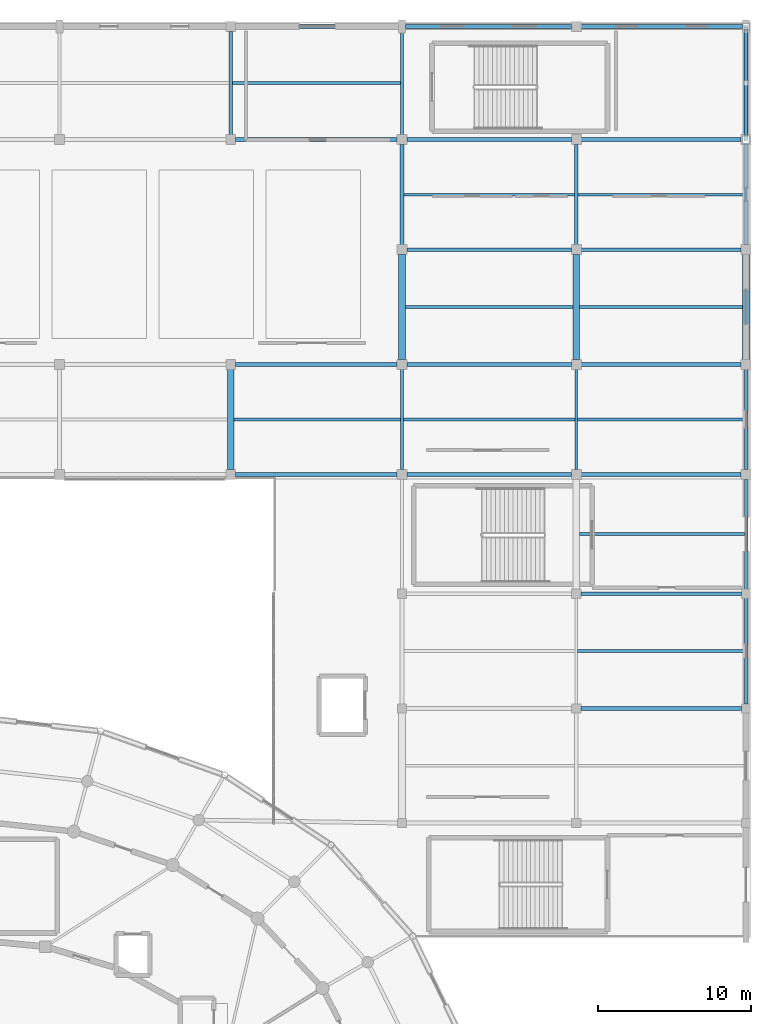
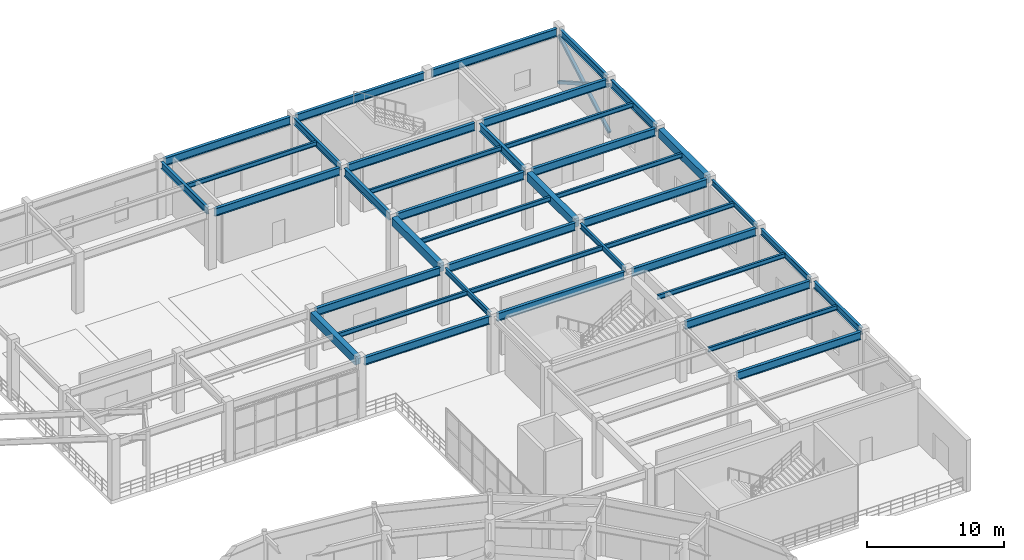
# One storey, part 38 of 93: 41 beams, 3 members.
"""IFC4 building model written with IfcOpenShell, lengths in metres."""

import ifcopenshell
import ifcopenshell.guid

model = None  # the IFC model being written
_history = None  # IfcOwnerHistory: only IFC2X3 demands one
_inside = {}  # id of a spatial element -> (the spatial element, [elements in it])
_under = {}  # id of a project, library or spatial element -> (it, [spatial elements below it])
_declared = {}  # id of a project -> (the project, [libraries it declares])
_typed = {}  # id of a type object -> (the type object, [elements of that type])
_made_of = {}  # id of a material, layer set ... -> (it, [elements and type objects made of it])


def new_model(schema):
    """Start an empty IFC model of exactly this schema.

    Asked for "IFC4X3", IfcOpenShell would pick the latest addendum, in which some entities
    have other attributes; the version numbers below select the first issue.
    IFC2X3 requires an IfcOwnerHistory on every rooted entity: one is made here for all.
    """
    global model, _history
    if schema == "IFC4X3":
        model = ifcopenshell.file(schema_version=(4, 3, 0, 0))
    else:
        model = ifcopenshell.file(schema=schema)
    _inside.clear()
    _under.clear()
    _declared.clear()
    _typed.clear()
    _made_of.clear()
    _history = None
    if model.schema == "IFC2X3":
        org = make("IfcOrganization", Name="unknown")
        user = make(
            "IfcPersonAndOrganization",
            ThePerson=make("IfcPerson", FamilyName="unknown"),
            TheOrganization=org,
        )
        app = make(
            "IfcApplication",
            ApplicationDeveloper=org,
            Version="unknown",
            ApplicationFullName="unknown",
            ApplicationIdentifier="unknown",
        )
        _history = make(
            "IfcOwnerHistory",
            OwningUser=user,
            OwningApplication=app,
            ChangeAction="ADDED",
            CreationDate=0,
        )
    return model


def make(cls, **values):
    """One entity of the class cls with the attributes given. An attribute that is None is left unset."""
    return model.create_entity(
        cls, **{name: value for name, value in values.items() if value is not None}
    )


def rooted(cls, **values):
    """An entity with a GlobalId (a new one), such as an element, a storey or a relation."""
    return make(cls, GlobalId=ifcopenshell.guid.new(), OwnerHistory=_history, **values)


def si_unit(unit_type, name, prefix=None):
    """IfcSIUnit, for example si_unit("LENGTHUNIT", "METRE", prefix="MILLI")."""
    return make("IfcSIUnit", UnitType=unit_type, Prefix=prefix, Name=name)


def assignment(units):
    """IfcUnitAssignment: the units of a project."""
    return None if units is None else make("IfcUnitAssignment", Units=units)


def point(xyz):
    """IfcCartesianPoint."""
    return None if xyz is None else make("IfcCartesianPoint", Coordinates=xyz)


def direction(xyz):
    """IfcDirection."""
    return None if xyz is None else make("IfcDirection", DirectionRatios=xyz)


def frame(location, z_axis=None, x_axis=None):
    """IfcAxis2Placement3D, a coordinate frame: its origin and axes. An axis left out is left unset."""
    return make(
        "IfcAxis2Placement3D",
        Location=point(location),
        Axis=direction(z_axis),
        RefDirection=direction(x_axis),
    )


def frame_2d(location, x_axis=None):
    """IfcAxis2Placement2D, a coordinate frame in the plane: its origin and x axis."""
    return make(
        "IfcAxis2Placement2D", Location=point(location), RefDirection=direction(x_axis)
    )


def origin():
    """The frame at (0, 0, 0) with its axes left unset."""
    return frame((0.0, 0.0, 0.0))


def origin_2d():
    """The frame at (0, 0) in the plane with its x axis left unset."""
    return frame_2d((0.0, 0.0))


def place(relative_to, where):
    """IfcLocalPlacement: puts the frame where relative to a parent placement (None: the world)."""
    return make(
        "IfcLocalPlacement", PlacementRelTo=relative_to, RelativePlacement=where
    )


def context(
    kind, dimensions, precision=None, world=None, true_north=None, identifier=None
):
    """IfcGeometricRepresentationContext, for example the 3D "Model" context."""
    return make(
        "IfcGeometricRepresentationContext",
        ContextIdentifier=identifier,
        ContextType=kind,
        CoordinateSpaceDimension=dimensions,
        Precision=precision,
        WorldCoordinateSystem=world,
        TrueNorth=true_north,
    )


def subcontext(parent, identifier, kind, view, scale=None):
    """IfcGeometricRepresentationSubContext, for example "Body" below "Model"."""
    return make(
        "IfcGeometricRepresentationSubContext",
        ContextIdentifier=identifier,
        ContextType=kind,
        ParentContext=parent,
        TargetScale=scale,
        TargetView=view,
    )


def project(units=None, contexts=None):
    """IfcProject with its units and contexts."""
    return rooted(
        "IfcProject",
        Name="project",
        RepresentationContexts=contexts,
        UnitsInContext=assignment(units),
    )


def spatial(cls, under=None, at=None, **own):
    """A site, building, storey or space (cls), placed at a placement, below another one or the project."""
    s = rooted(cls, ObjectPlacement=at, **own)
    if under is not None:
        _under.setdefault(under.id(), (under, []))[1].append(s)
    return s


def profile(cls, at=None, kind="AREA", **sizes):
    """A parametric profile (cls). Its sizes go by their IFC names, for example OverallWidth=200.0."""
    return make(cls, ProfileType=kind, Position=at, **sizes)


def rectangle(**sizes):
    """IfcRectangleProfileDef."""
    return profile("IfcRectangleProfileDef", **sizes)


def hollow_rectangle(**sizes):
    """IfcRectangleHollowProfileDef."""
    return profile("IfcRectangleHollowProfileDef", **sizes)


def i_section(**sizes):
    """IfcIShapeProfileDef."""
    return profile("IfcIShapeProfileDef", **sizes)


def extrude(swept, where, along, depth):
    """IfcExtrudedAreaSolid: the profile swept, set in the frame where, extruded along a direction by depth."""
    return make(
        "IfcExtrudedAreaSolid",
        SweptArea=swept,
        Position=where,
        ExtrudedDirection=direction(along),
        Depth=depth,
    )


def shape(context_of_items, identifier, shape_type, items):
    """IfcShapeRepresentation: the items that make up one representation, for example the "Body"."""
    return make(
        "IfcShapeRepresentation",
        ContextOfItems=context_of_items,
        RepresentationIdentifier=identifier,
        RepresentationType=shape_type,
        Items=items,
    )


def material(Name=None, Category=None):
    """IfcMaterial."""
    return make("IfcMaterial", Name=Name, Category=Category)


def material_profile(
    of_material, cross_section, Name=None, Category=None, Priority=None
):
    """IfcMaterialProfile: a cross section and its material."""
    return make(
        "IfcMaterialProfile",
        Name=Name,
        Material=of_material,
        Profile=cross_section,
        Priority=Priority,
        Category=Category,
    )


def profile_set(profiles, Name=None, composite=None):
    """IfcMaterialProfileSet."""
    return make(
        "IfcMaterialProfileSet",
        Name=Name,
        MaterialProfiles=profiles,
        CompositeProfile=composite,
    )


def made_of(thing, what):
    """Note that an element or type object is made of a material, layer set ...; save() writes the relation."""
    if what is not None:
        _made_of.setdefault(what.id(), (what, []))[1].append(thing)
    return thing


def type_object(cls, material=None, **own):
    """A type object (cls), such as IfcWallType, which elements share."""
    return made_of(rooted(cls, **own), material)


def element(
    cls,
    number,
    at=None,
    inside=None,
    cuts=None,
    type_object=None,
    material=None,
    context=None,
    identifier="Body",
    shape_type=None,
    held_by="IfcProductDefinitionShape",
    body=None,
    shapes=None,
    **own,
):
    """One element of the class cls, such as IfcWall. Its Tag is "e" and its number.

    at: its placement. inside: the storey or other place that contains it. cuts: it is an
    opening in that element (IfcRelVoidsElement). A single representation is given by context,
    identifier, shape_type and body (its items); several are given by shapes. held_by: the class
    of the entity that holds the representations. save() writes the other relations.
    """
    e = rooted(cls, Tag="e%d" % number, ObjectPlacement=at, **own)
    if body is not None:
        shapes = [shape(context, identifier, shape_type, body)]
    if shapes is not None:
        e.Representation = make(held_by, Representations=shapes)
    if inside is not None:
        _inside.setdefault(inside.id(), (inside, []))[1].append(e)
    if cuts is not None:
        rooted(
            "IfcRelVoidsElement", RelatingBuildingElement=cuts, RelatedOpeningElement=e
        )
    if type_object is not None:
        _typed.setdefault(type_object.id(), (type_object, []))[1].append(e)
    return made_of(e, material)


def aggregate(whole, parts):
    """IfcRelAggregates: a whole, such as a stair, and the parts it consists of."""
    return rooted("IfcRelAggregates", RelatingObject=whole, RelatedObjects=parts)


def save(model, path):
    """Write the relations noted so far, then the file.

    IfcRelAggregates (storeys below a building ...), IfcRelContainedInSpatialStructure (elements
    in a storey), IfcRelDefinesByType, IfcRelAssociatesMaterial and IfcRelDeclares: one each for
    every whole, place, type object, material and project.
    """
    for whole, parts in _under.values():
        aggregate(whole, parts)
    for where, things in _inside.values():
        rooted(
            "IfcRelContainedInSpatialStructure",
            RelatedElements=things,
            RelatingStructure=where,
        )
    for kind, things in _typed.values():
        rooted("IfcRelDefinesByType", RelatedObjects=things, RelatingType=kind)
    for what, things in _made_of.values():
        rooted("IfcRelAssociatesMaterial", RelatedObjects=things, RelatingMaterial=what)
    for by, libraries in _declared.values():
        rooted("IfcRelDeclares", RelatingContext=by, RelatedDefinitions=libraries)
    model.write(path)


model = new_model("IFC4")

# Units and contexts
model_context = context("Model", 3, precision=1e-05, world=origin(), true_north=direction((0.0, 1.0)))
body_context = subcontext(model_context, "Body", "Model", "MODEL_VIEW")
ifc_project = project(units=[si_unit("LENGTHUNIT", "METRE"), si_unit("AREAUNIT", "SQUARE_METRE"), si_unit("VOLUMEUNIT", "CUBIC_METRE"), si_unit("PLANEANGLEUNIT", "RADIAN"), si_unit("MASSUNIT", "GRAM", prefix="KILO")], contexts=[model_context])

# Site, building, storey
site_placement = place(None, origin())
site = spatial("IfcSite", under=ifc_project, at=site_placement, CompositionType="ELEMENT")
building_placement = place(site_placement, origin())
building = spatial("IfcBuilding", under=site, at=building_placement, Name="Cinderbank Siding Concert Hall", CompositionType="ELEMENT")
storey_placement = place(building_placement, origin())
storey = spatial("IfcBuildingStorey", under=building, at=storey_placement, Name="L01", CompositionType="ELEMENT", Elevation=0.0)

# Beams
ifc_material_1 = material(Name="Reinforced concrete AS 3600 N50 (50 MPa)", Category="concrete")
ifc_material_profile_1 = material_profile(ifc_material_1, rectangle(XDim=0.449951171875, YDim=0.75, at=origin_2d()), Name="RC-BM-450x750", Category="LoadBearing")
ifc_profile_set_1 = profile_set([ifc_material_profile_1], Name="Reinforced concrete AS 3600 N50 (50 MPa)")
beam_type_1 = type_object("IfcBeamType", Name="BM-RC750 RC-BM-450x750", PredefinedType="BEAM", material=ifc_profile_set_1)
beam_1_placement = place(storey_placement, frame((139.199951171875, 88.9169921875, 4.7470703125), z_axis=(0.0, 1.0, 0.0), x_axis=(-1.0, 0.0, 0.0)))
element("IfcBeam", 1, at=beam_1_placement, inside=storey, type_object=beam_type_1, Name="L01 Beam BM-RC750 #1329", PredefinedType="BEAM", context=body_context, shape_type="SweptSolid", body=[
    extrude(rectangle(XDim=0.449951171875, YDim=0.75, at=origin_2d()), origin(), (0.0, 0.0, 1.0), 6.56591796875),
])
for number, where, z_axis, x_axis, name in (
    (2, (150.39990234375, 96.116943359375, 4.7470703125), (0.0, 1.0, 0.0), (-1.0, 0.0, 0.0), "L01 Beam BM-RC750 #1337"),
    (3, (161.800048828125, 96.116943359375, 4.7470703125), (0.0, 1.0, 0.0), (-1.0, 0.0, 0.0), "L01 Beam BM-RC750 #1346"),
    (4, (172.89990234375, 96.116943359375, 4.7470703125), (0.0, 1.0, 0.0), (-1.0, 0.0, 0.0), "L01 Beam BM-RC750 #1352"),
):
    element("IfcBeam", number, at=place(storey_placement, frame(where, z_axis=z_axis, x_axis=x_axis)), inside=storey, type_object=beam_type_1, Name=name, PredefinedType="BEAM", context=body_context, shape_type="SweptSolid", body=[
        extrude(rectangle(XDim=0.449951171875, YDim=0.75, at=origin_2d()), origin(), (0.0, 0.0, 1.0), 6.865966796875),
    ])
ifc_material_2 = material(Name="Structural steel AS/NZS 3679.1 Grade 350 (340 MPa)", Category="steel")
ifc_material_profile_2 = material_profile(ifc_material_2, i_section(OverallWidth=0.18994140625, OverallDepth=0.45751953125, WebThickness=0.009033203125, FlangeThickness=0.014404296875, at=origin_2d()), Name="460UB74.6", Category="LoadBearing")
ifc_profile_set_2 = profile_set([ifc_material_profile_2], Name="Structural steel AS/NZS 3679.1 Grade 350 (340 MPa)")
beam_type_2 = type_object("IfcBeamType", Name="BM-UB460 460UB74.6", PredefinedType="BEAM", material=ifc_profile_set_2)
for number, where, z_axis, x_axis, name in (
    (5, (150.39990234375, 88.9169921875, 4.893310546875), (0.0, 1.0, 0.0), (-1.0, 0.0, 0.0), "L01 Beam BM-UB460 #1335"),
    (6, (161.800048828125, 88.9169921875, 4.893310546875), (0.0, 1.0, 0.0), (-1.0, 0.0, 0.0), "L01 Beam BM-UB460 #1344"),
    (7, (172.89990234375, 88.9169921875, 4.893310546875), (0.0, 1.0, 0.0), (-1.0, 0.0, 0.0), "L01 Beam BM-UB460 #1351"),
):
    element("IfcBeam", number, at=place(storey_placement, frame(where, z_axis=z_axis, x_axis=x_axis)), inside=storey, type_object=beam_type_2, Name=name, PredefinedType="BEAM", context=body_context, shape_type="SweptSolid", body=[
        extrude(i_section(OverallWidth=0.18994140625, OverallDepth=0.45751953125, WebThickness=0.009033203125, FlangeThickness=0.014404296875, at=origin_2d()), origin(), (0.0, 0.0, 1.0), 6.56591796875),
    ])
ifc_material_profile_3 = material_profile(ifc_material_2, i_section(OverallWidth=0.208984375, OverallDepth=0.5283203125, WebThickness=0.009521484375, FlangeThickness=0.01318359375, at=origin_2d()), Name="530UB82.0", Category="LoadBearing")
ifc_profile_set_3 = profile_set([ifc_material_profile_3], Name="Structural steel AS/NZS 3679.1 Grade 350 (340 MPa)")
beam_type_3 = type_object("IfcBeamType", Name="BM-UB530 530UB82.0", PredefinedType="BEAM", material=ifc_profile_set_3)
beam_2_placement = place(storey_placement, frame((172.89990234375, 81.092041015625, 4.85791015625), z_axis=(0.0, 1.0, 0.0), x_axis=(-1.0, 0.0, 0.0)))
element("IfcBeam", 8, at=beam_2_placement, inside=storey, type_object=beam_type_3, Name="L01 Beam BM-UB530 #1420", PredefinedType="BEAM", context=body_context, shape_type="SweptSolid", body=[
    extrude(i_section(OverallWidth=0.208984375, OverallDepth=0.5283203125, WebThickness=0.009521484375, FlangeThickness=0.01318359375, at=origin_2d()), origin(), (0.0, 0.0, 1.0), 7.19091796875),
])
ifc_material_profile_4 = material_profile(ifc_material_2, i_section(OverallWidth=0.22802734375, OverallDepth=0.602294921875, WebThickness=0.010498046875, FlangeThickness=0.014892578125, at=origin_2d()), Name="610UB101", Category="LoadBearing")
ifc_profile_set_4 = profile_set([ifc_material_profile_4], Name="Structural steel AS/NZS 3679.1 Grade 350 (340 MPa)")
beam_type_4 = type_object("IfcBeamType", Name="BM-UB610 610UB101", PredefinedType="BEAM", material=ifc_profile_set_4)
beam_3_placement = place(storey_placement, frame((139.199951171875, 110.81689453125, 4.82080078125), z_axis=(0.0, 1.0, 0.0), x_axis=(-1.0, 0.0, 0.0)))
element("IfcBeam", 9, at=beam_3_placement, inside=storey, type_object=beam_type_4, Name="L01 Beam BM-UB610 #1332", PredefinedType="BEAM", context=body_context, shape_type="SweptSolid", body=[
    extrude(i_section(OverallWidth=0.22802734375, OverallDepth=0.602294921875, WebThickness=0.010498046875, FlangeThickness=0.014892578125, at=origin_2d()), origin(), (0.0, 0.0, 1.0), 6.76611328125),
])
for number, where, z_axis, x_axis, name in (
    (10, (150.39990234375, 110.81689453125, 4.82080078125), (0.0, 1.0, 0.0), (-1.0, 0.0, 0.0), "L01 Beam BM-UB610 #1341"),
    (11, (172.89990234375, 110.81689453125, 4.82080078125), (0.0, 1.0, 0.0), (-1.0, 0.0, 0.0), "L01 Beam BM-UB610 #1354"),
):
    element("IfcBeam", number, at=place(storey_placement, frame(where, z_axis=z_axis, x_axis=x_axis)), inside=storey, type_object=beam_type_4, Name=name, PredefinedType="BEAM", context=body_context, shape_type="SweptSolid", body=[
        extrude(i_section(OverallWidth=0.22802734375, OverallDepth=0.602294921875, WebThickness=0.010498046875, FlangeThickness=0.014892578125, at=origin_2d()), origin(), (0.0, 0.0, 1.0), 6.8662109375),
    ])
beam_4_placement = place(storey_placement, frame((172.89990234375, 73.592041015625, 4.8408203125), z_axis=(0.0, 1.0, 0.0), x_axis=(-1.0, 0.0, 0.0)))
element("IfcBeam", 12, at=beam_4_placement, inside=storey, type_object=beam_type_4, Name="L01 Beam BM-UB610 #1419", PredefinedType="BEAM", context=body_context, shape_type="SweptSolid", body=[
    extrude(i_section(OverallWidth=0.22802734375, OverallDepth=0.602294921875, WebThickness=0.010498046875, FlangeThickness=0.014892578125, at=origin_2d()), origin(), (0.0, 0.0, 1.0), 6.916015625),
])
ifc_material_3 = material(Name="Structural steel welded plate section AS/NZS 3679.2 / AS/NZS 3678 Grade 350 (340 MPa)", Category="steel")
ifc_material_profile_5 = material_profile(ifc_material_3, i_section(OverallWidth=0.25, OverallDepth=0.699951171875, WebThickness=0.010009765625, FlangeThickness=0.01611328125, at=origin_2d()), Name="700WB130", Category="LoadBearing")
ifc_profile_set_5 = profile_set([ifc_material_profile_5], Name="Structural steel welded plate section AS/NZS 3679.2 / AS/NZS 3678 Grade 350 (340 MPa)")
beam_type_5 = type_object("IfcBeamType", Name="BM-WB700 700WB130", PredefinedType="BEAM", material=ifc_profile_set_5)
for number, where, z_axis, x_axis, name in (
    (13, (139.51708984375, 88.60009765625, 4.77197265625), (1.0, 0.0, 0.0), (0.0, 1.0, 0.0), "L01 Beam BM-WB700 #1328"),
    (14, (139.51708984375, 95.800048828125, 4.77197265625), (1.0, 0.0, 0.0), (0.0, 1.0, 0.0), "L01 Beam BM-WB700 #1330"),
    (15, (139.51708984375, 110.5, 4.77197265625), (1.0, 0.0, 0.0), (0.0, 1.0, 0.0), "L01 Beam BM-WB700 #1331"),
):
    element("IfcBeam", number, at=place(storey_placement, frame(where, z_axis=z_axis, x_axis=x_axis)), inside=storey, type_object=beam_type_5, Name=name, PredefinedType="BEAM", context=body_context, shape_type="SweptSolid", body=[
        extrude(i_section(OverallWidth=0.25, OverallDepth=0.699951171875, WebThickness=0.010009765625, FlangeThickness=0.01611328125, at=origin_2d()), origin(), (0.0, 0.0, 1.0), 10.56591796875),
    ])
beam_5_placement = place(storey_placement, frame((139.51708984375, 117.89990234375, 4.77197265625), z_axis=(1.0, 0.0, 0.0), x_axis=(0.0, 1.0, 0.0)))
element("IfcBeam", 16, at=beam_5_placement, inside=storey, type_object=beam_type_5, Name="L01 Beam BM-WB700 #1333", PredefinedType="BEAM", context=body_context, shape_type="SweptSolid", body=[
    extrude(i_section(OverallWidth=0.25, OverallDepth=0.699951171875, WebThickness=0.010009765625, FlangeThickness=0.01611328125, at=origin_2d()), origin(), (0.0, 0.0, 1.0), 10.666015625),
])
for number, where, z_axis, x_axis, name in (
    (17, (150.717041015625, 88.60009765625, 4.77197265625), (1.0, 0.0, 0.0), (0.0, 1.0, 0.0), "L01 Beam BM-WB700 #1334"),
    (18, (150.717041015625, 95.800048828125, 4.77197265625), (1.0, 0.0, 0.0), (0.0, 1.0, 0.0), "L01 Beam BM-WB700 #1336"),
    (19, (150.717041015625, 103.300048828125, 4.77197265625), (1.0, 0.0, 0.0), (0.0, 1.0, 0.0), "L01 Beam BM-WB700 #1338"),
):
    element("IfcBeam", number, at=place(storey_placement, frame(where, z_axis=z_axis, x_axis=x_axis)), inside=storey, type_object=beam_type_5, Name=name, PredefinedType="BEAM", context=body_context, shape_type="SweptSolid", body=[
        extrude(i_section(OverallWidth=0.25, OverallDepth=0.699951171875, WebThickness=0.010009765625, FlangeThickness=0.01611328125, at=origin_2d()), origin(), (0.0, 0.0, 1.0), 10.765869140625),
    ])
beam_6_placement = place(storey_placement, frame((150.39990234375, 103.616943359375, 4.77197265625), z_axis=(0.0, 1.0, 0.0), x_axis=(-1.0, 0.0, 0.0)))
element("IfcBeam", 20, at=beam_6_placement, inside=storey, type_object=beam_type_5, Name="L01 Beam BM-WB700 #1339", PredefinedType="BEAM", context=body_context, shape_type="SweptSolid", body=[
    extrude(i_section(OverallWidth=0.25, OverallDepth=0.699951171875, WebThickness=0.010009765625, FlangeThickness=0.01611328125, at=origin_2d()), origin(), (0.0, 0.0, 1.0), 6.566162109375),
])
beam_7_placement = place(storey_placement, frame((150.717041015625, 110.5, 4.77197265625), z_axis=(1.0, 0.0, 0.0), x_axis=(0.0, 1.0, 0.0)))
element("IfcBeam", 21, at=beam_7_placement, inside=storey, type_object=beam_type_5, Name="L01 Beam BM-WB700 #1340", PredefinedType="BEAM", context=body_context, shape_type="SweptSolid", body=[
    extrude(i_section(OverallWidth=0.25, OverallDepth=0.699951171875, WebThickness=0.010009765625, FlangeThickness=0.01611328125, at=origin_2d()), origin(), (0.0, 0.0, 1.0), 10.765869140625),
])
beam_8_placement = place(storey_placement, frame((150.616943359375, 117.89990234375, 4.77197265625), z_axis=(1.0, 0.0, 0.0), x_axis=(0.0, 1.0, 0.0)))
element("IfcBeam", 22, at=beam_8_placement, inside=storey, type_object=beam_type_5, Name="L01 Beam BM-WB700 #1342", PredefinedType="BEAM", context=body_context, shape_type="SweptSolid", body=[
    extrude(i_section(OverallWidth=0.25, OverallDepth=0.699951171875, WebThickness=0.010009765625, FlangeThickness=0.01611328125, at=origin_2d()), origin(), (0.0, 0.0, 1.0), 10.865966796875),
])
for number, where, z_axis, x_axis, name in (
    (23, (162.116943359375, 88.60009765625, 4.77197265625), (1.0, 0.0, 0.0), (0.0, 1.0, 0.0), "L01 Beam BM-WB700 #1343"),
    (24, (162.116943359375, 95.800048828125, 4.77197265625), (1.0, 0.0, 0.0), (0.0, 1.0, 0.0), "L01 Beam BM-WB700 #1345"),
    (25, (162.116943359375, 103.300048828125, 4.77197265625), (1.0, 0.0, 0.0), (0.0, 1.0, 0.0), "L01 Beam BM-WB700 #1347"),
):
    element("IfcBeam", number, at=place(storey_placement, frame(where, z_axis=z_axis, x_axis=x_axis)), inside=storey, type_object=beam_type_5, Name=name, PredefinedType="BEAM", context=body_context, shape_type="SweptSolid", body=[
        extrude(i_section(OverallWidth=0.25, OverallDepth=0.699951171875, WebThickness=0.010009765625, FlangeThickness=0.01611328125, at=origin_2d()), origin(), (0.0, 0.0, 1.0), 10.466064453125),
    ])
beam_9_placement = place(storey_placement, frame((161.800048828125, 103.616943359375, 4.77197265625), z_axis=(0.0, 1.0, 0.0), x_axis=(-1.0, 0.0, 0.0)))
element("IfcBeam", 26, at=beam_9_placement, inside=storey, type_object=beam_type_5, Name="L01 Beam BM-WB700 #1348", PredefinedType="BEAM", context=body_context, shape_type="SweptSolid", body=[
    extrude(i_section(OverallWidth=0.25, OverallDepth=0.699951171875, WebThickness=0.010009765625, FlangeThickness=0.01611328125, at=origin_2d()), origin(), (0.0, 0.0, 1.0), 6.566162109375),
])
beam_10_placement = place(storey_placement, frame((162.116943359375, 110.5, 4.77197265625), z_axis=(1.0, 0.0, 0.0), x_axis=(0.0, 1.0, 0.0)))
element("IfcBeam", 27, at=beam_10_placement, inside=storey, type_object=beam_type_5, Name="L01 Beam BM-WB700 #1349", PredefinedType="BEAM", context=body_context, shape_type="SweptSolid", body=[
    extrude(i_section(OverallWidth=0.25, OverallDepth=0.699951171875, WebThickness=0.010009765625, FlangeThickness=0.01611328125, at=origin_2d()), origin(), (0.0, 0.0, 1.0), 10.466064453125),
])
beam_11_placement = place(storey_placement, frame((162.116943359375, 117.89990234375, 4.77197265625), z_axis=(1.0, 0.0, 0.0), x_axis=(0.0, 1.0, 0.0)))
element("IfcBeam", 28, at=beam_11_placement, inside=storey, type_object=beam_type_5, Name="L01 Beam BM-WB700 #1350", PredefinedType="BEAM", context=body_context, shape_type="SweptSolid", body=[
    extrude(i_section(OverallWidth=0.25, OverallDepth=0.699951171875, WebThickness=0.010009765625, FlangeThickness=0.01611328125, at=origin_2d()), origin(), (0.0, 0.0, 1.0), 10.566162109375),
])
beam_12_placement = place(storey_placement, frame((172.89990234375, 103.616943359375, 4.77197265625), z_axis=(0.0, 1.0, 0.0), x_axis=(-1.0, 0.0, 0.0)))
element("IfcBeam", 29, at=beam_12_placement, inside=storey, type_object=beam_type_5, Name="L01 Beam BM-WB700 #1353", PredefinedType="BEAM", context=body_context, shape_type="SweptSolid", body=[
    extrude(i_section(OverallWidth=0.25, OverallDepth=0.699951171875, WebThickness=0.010009765625, FlangeThickness=0.01611328125, at=origin_2d()), origin(), (0.0, 0.0, 1.0), 6.566162109375),
])
for number, where, z_axis, x_axis, name in (
    (30, (162.092041015625, 73.300048828125, 4.7919921875), (1.0, 0.0, 0.0), (0.0, 1.0, 0.0), "L01 Beam BM-WB700 #1414"),
    (31, (162.092041015625, 80.800048828125, 4.7919921875), (1.0, 0.0, 0.0), (0.0, 1.0, 0.0), "L01 Beam BM-WB700 #1416"),
):
    element("IfcBeam", number, at=place(storey_placement, frame(where, z_axis=z_axis, x_axis=x_axis)), inside=storey, type_object=beam_type_5, Name=name, PredefinedType="BEAM", context=body_context, shape_type="SweptSolid", body=[
        extrude(i_section(OverallWidth=0.25, OverallDepth=0.699951171875, WebThickness=0.010009765625, FlangeThickness=0.01611328125, at=origin_2d()), origin(), (0.0, 0.0, 1.0), 10.515869140625),
    ])

# Members
ifc_material_4 = material(Name="Structural steel hollow section AS/NZS 1163 Grade C350L0 (350 MPa)", Category="steel")
ifc_material_profile_6 = material_profile(ifc_material_4, hollow_rectangle(XDim=0.25, YDim=0.25, WallThickness=0.010009765625, at=origin_2d()), Name="250x250x10.0SHS", Category="LoadBearing")
ifc_profile_set_6 = profile_set([ifc_material_profile_6], Name="Structural steel hollow section AS/NZS 1163 Grade C350L0 (350 MPa)")
member_type = type_object("IfcMemberType", Name="BR-SHS250 250x250x10.0SHS Roof Truss", PredefinedType="BRACE", material=ifc_profile_set_6)
member_placement = place(storey_placement, frame((172.89990234375, 110.5, 0.199951171875), z_axis=(0.0, 0.869685582334, 0.493606106001), x_axis=(-1.0, 0.0, 0.0)))
element("IfcMember", 32, at=member_placement, inside=storey, type_object=member_type, Name="L01 Diagonal Brace BR-SHS250 #LBR-BR-SHS250-L01-2526", PredefinedType="BRACE", context=body_context, shape_type="SweptSolid", body=[
    extrude(hollow_rectangle(XDim=0.25, YDim=0.25, WallThickness=0.010009765625, at=origin_2d()), origin(), (0.0, 0.0, 1.0), 8.5087890625),
])
for number, where, z_axis, x_axis, name in (
    (33, (172.89990234375, 117.89990234375, 0.199951171875), (0.0, -0.869695937301, 0.493587861118), (1.0, 0.0, 0.0), "L01 Diagonal Brace BR-SHS250 #LBR-BR-SHS250-L01-2527"),
    (34, (172.89990234375, 114.18701171875, 2.307373046875), (0.0, -0.869695937301, 0.493587861118), (1.0, 0.0, 0.0), "L01 Diagonal Brace BR-SHS250 #LBR-BR-SHS250-L01-2527-S231"),
):
    element("IfcMember", number, at=place(storey_placement, frame(where, z_axis=z_axis, x_axis=x_axis)), inside=storey, type_object=member_type, Name=name, PredefinedType="BRACE", context=body_context, shape_type="SweptSolid", body=[
        extrude(hollow_rectangle(XDim=0.25, YDim=0.25, WallThickness=0.010009765625, at=origin_2d()), origin(), (0.0, 0.0, 1.0), 4.239501953125),
    ])

# Beams
ifc_material_profile_7 = material_profile(ifc_material_2, i_section(OverallWidth=0.177978515625, OverallDepth=0.402587890625, WebThickness=0.007568359375, FlangeThickness=0.010986328125, at=origin_2d()), Name="410UB53.7", Category="LoadBearing")
ifc_profile_set_7 = profile_set([ifc_material_profile_7], Name="Structural steel AS/NZS 3679.1 Grade 350 (340 MPa)")
beam_type_6 = type_object("IfcBeamType", Name="JS-UB410 410UB53.7", PredefinedType="JOIST", material=ifc_profile_set_7)
beam_13_placement = place(storey_placement, frame((139.4169921875, 92.199951171875, 4.920654296875), z_axis=(1.0, 0.0, 0.0), x_axis=(0.0, 1.0, 0.0)))
element("IfcBeam", 35, at=beam_13_placement, inside=storey, type_object=beam_type_6, Name="L01 Beam JS-UB410 #1458", PredefinedType="JOIST", context=body_context, shape_type="SweptSolid", body=[
    extrude(i_section(OverallWidth=0.177978515625, OverallDepth=0.402587890625, WebThickness=0.007568359375, FlangeThickness=0.010986328125, at=origin_2d()), origin(), (0.0, 0.0, 1.0), 10.89599609375),
])
beam_14_placement = place(storey_placement, frame((139.305908203125, 114.199951171875, 4.920654296875), z_axis=(1.0, 0.0, 0.0), x_axis=(0.0, 1.0, 0.0)))
element("IfcBeam", 36, at=beam_14_placement, inside=storey, type_object=beam_type_6, Name="L01 Beam JS-UB410 #1459", PredefinedType="JOIST", context=body_context, shape_type="SweptSolid", body=[
    extrude(i_section(OverallWidth=0.177978515625, OverallDepth=0.402587890625, WebThickness=0.007568359375, FlangeThickness=0.010986328125, at=origin_2d()), origin(), (0.0, 0.0, 1.0), 10.988037109375),
])
beam_15_placement = place(storey_placement, frame((150.487060546875, 92.199951171875, 4.920654296875), z_axis=(1.0, 0.0, 0.0), x_axis=(0.0, 1.0, 0.0)))
element("IfcBeam", 37, at=beam_15_placement, inside=storey, type_object=beam_type_6, Name="L01 Beam JS-UB410 #1460", PredefinedType="JOIST", context=body_context, shape_type="SweptSolid", body=[
    extrude(i_section(OverallWidth=0.177978515625, OverallDepth=0.402587890625, WebThickness=0.007568359375, FlangeThickness=0.010986328125, at=origin_2d()), origin(), (0.0, 0.0, 1.0), 11.225830078125),
])
beam_16_placement = place(storey_placement, frame((150.616943359375, 99.550048828125, 4.920654296875), z_axis=(1.0, 0.0, 0.0), x_axis=(0.0, 1.0, 0.0)))
element("IfcBeam", 38, at=beam_16_placement, inside=storey, type_object=beam_type_6, Name="L01 Beam JS-UB410 #1461", PredefinedType="JOIST", context=body_context, shape_type="SweptSolid", body=[
    extrude(i_section(OverallWidth=0.177978515625, OverallDepth=0.402587890625, WebThickness=0.007568359375, FlangeThickness=0.010986328125, at=origin_2d()), origin(), (0.0, 0.0, 1.0), 10.966064453125),
])
beam_17_placement = place(storey_placement, frame((150.51708984375, 106.89990234375, 4.920654296875), z_axis=(1.0, 0.0, 0.0), x_axis=(0.0, 1.0, 0.0)))
element("IfcBeam", 39, at=beam_17_placement, inside=storey, type_object=beam_type_6, Name="L01 Beam JS-UB410 #1462", PredefinedType="JOIST", context=body_context, shape_type="SweptSolid", body=[
    extrude(i_section(OverallWidth=0.177978515625, OverallDepth=0.402587890625, WebThickness=0.007568359375, FlangeThickness=0.010986328125, at=origin_2d()), origin(), (0.0, 0.0, 1.0), 11.166015625),
])
beam_18_placement = place(storey_placement, frame((161.886962890625, 92.199951171875, 4.920654296875), z_axis=(1.0, 0.0, 0.0), x_axis=(0.0, 1.0, 0.0)))
element("IfcBeam", 40, at=beam_18_placement, inside=storey, type_object=beam_type_6, Name="L01 Beam JS-UB410 #1463", PredefinedType="JOIST", context=body_context, shape_type="SweptSolid", body=[
    extrude(i_section(OverallWidth=0.177978515625, OverallDepth=0.402587890625, WebThickness=0.007568359375, FlangeThickness=0.010986328125, at=origin_2d()), origin(), (0.0, 0.0, 1.0), 10.926025390625),
])
beam_19_placement = place(storey_placement, frame((162.01708984375, 99.550048828125, 4.920654296875), z_axis=(1.0, 0.0, 0.0), x_axis=(0.0, 1.0, 0.0)))
element("IfcBeam", 41, at=beam_19_placement, inside=storey, type_object=beam_type_6, Name="L01 Beam JS-UB410 #1464", PredefinedType="JOIST", context=body_context, shape_type="SweptSolid", body=[
    extrude(i_section(OverallWidth=0.177978515625, OverallDepth=0.402587890625, WebThickness=0.007568359375, FlangeThickness=0.010986328125, at=origin_2d()), origin(), (0.0, 0.0, 1.0), 10.666015625),
])
beam_20_placement = place(storey_placement, frame((161.9169921875, 106.89990234375, 4.920654296875), z_axis=(1.0, 0.0, 0.0), x_axis=(0.0, 1.0, 0.0)))
element("IfcBeam", 42, at=beam_20_placement, inside=storey, type_object=beam_type_6, Name="L01 Beam JS-UB410 #1465", PredefinedType="JOIST", context=body_context, shape_type="SweptSolid", body=[
    extrude(i_section(OverallWidth=0.177978515625, OverallDepth=0.402587890625, WebThickness=0.007568359375, FlangeThickness=0.010986328125, at=origin_2d()), origin(), (0.0, 0.0, 1.0), 10.865966796875),
])
beam_21_placement = place(storey_placement, frame((161.886962890625, 77.050048828125, 4.940673828125), z_axis=(1.0, 0.0, 0.0), x_axis=(0.0, 1.0, 0.0)))
element("IfcBeam", 43, at=beam_21_placement, inside=storey, type_object=beam_type_6, Name="L01 Beam JS-UB410 #1481", PredefinedType="JOIST", context=body_context, shape_type="SweptSolid", body=[
    extrude(i_section(OverallWidth=0.177978515625, OverallDepth=0.402587890625, WebThickness=0.007568359375, FlangeThickness=0.010986328125, at=origin_2d()), origin(), (0.0, 0.0, 1.0), 10.906982421875),
])
beam_22_placement = place(storey_placement, frame((162.01708984375, 84.699951171875, 4.940673828125), z_axis=(1.0, 0.0, 0.0), x_axis=(0.0, 1.0, 0.0)))
element("IfcBeam", 44, at=beam_22_placement, inside=storey, type_object=beam_type_6, Name="L01 Beam JS-UB410 #1482", PredefinedType="JOIST", context=body_context, shape_type="SweptSolid", body=[
    extrude(i_section(OverallWidth=0.177978515625, OverallDepth=0.402587890625, WebThickness=0.007568359375, FlangeThickness=0.010986328125, at=origin_2d()), origin(), (0.0, 0.0, 1.0), 10.786376953125),
])

save(model, "model.ifc")
